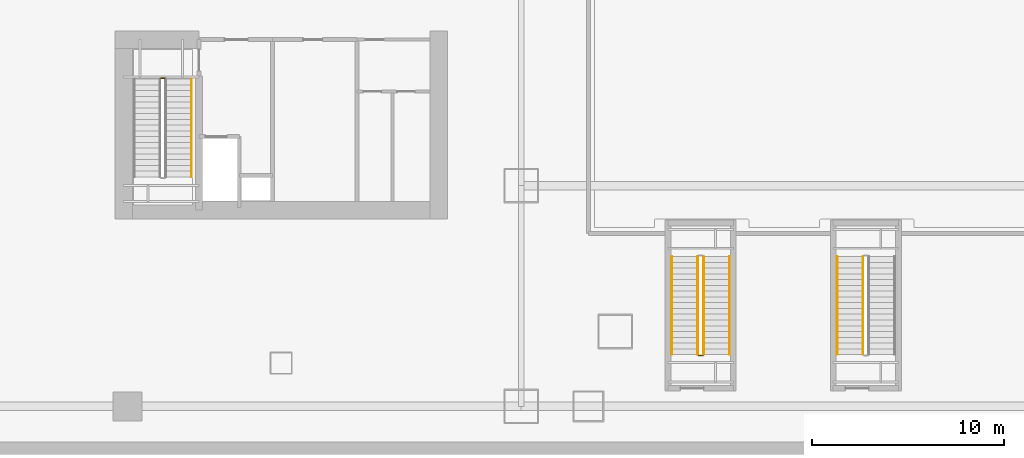
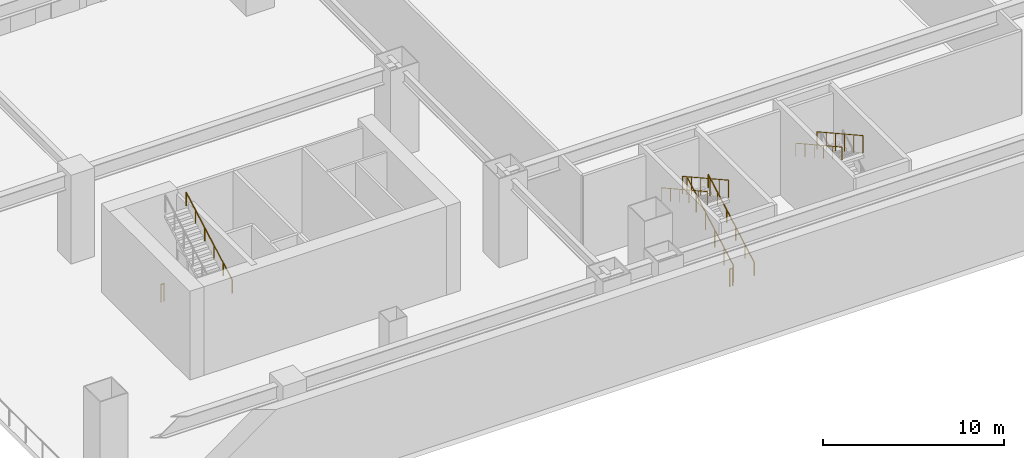
# One storey, part 14 of 20: 9 railings.
"""IFC4 building model written with IfcOpenShell, lengths in metres."""

from ifc_helpers import new_model, si_unit, direction, frame, origin, origin_2d, place, context, subcontext, project, spatial, circle, extrude, material, type_object, element, save


model = new_model("IFC4")

# Units and contexts
model_context = context("Model", 3, precision=1e-05, world=origin(), true_north=direction((0.0, 1.0)))
body_context = subcontext(model_context, "Body", "Model", "MODEL_VIEW")
ifc_project = project(units=[si_unit("LENGTHUNIT", "METRE"), si_unit("AREAUNIT", "SQUARE_METRE"), si_unit("VOLUMEUNIT", "CUBIC_METRE"), si_unit("PLANEANGLEUNIT", "RADIAN"), si_unit("MASSUNIT", "GRAM", prefix="KILO")], contexts=[model_context])

# Site, building, storey
site_placement = place(None, origin())
site = spatial("IfcSite", under=ifc_project, at=site_placement, CompositionType="ELEMENT")
building_placement = place(site_placement, origin())
building = spatial("IfcBuilding", under=site, at=building_placement, Name="Qiaolan Cultural Towers", CompositionType="ELEMENT")
storey_placement = place(building_placement, frame((0.0, 0.0, -6.0)))
storey = spatial("IfcBuildingStorey", under=building, at=storey_placement, Name="B1", CompositionType="ELEMENT", Elevation=-6.0)

# Railings
ifc_material_1 = material(Name="Galvanized Painted Steel Stair Guardrail", Category="steel")
railing_type_1 = type_object("IfcRailingType", Name="RL-STAIR-GRD", PredefinedType="GUARDRAIL", material=ifc_material_1)
railing_1_placement = place(storey_placement, frame((23.739990234375, 19.60009765625, 0.0)))
element("IfcRailing", 1, at=railing_1_placement, inside=storey, type_object=railing_type_1, Name="B1 ST-W1 stair guard 4", PredefinedType="GUARDRAIL", context=body_context, shape_type="SweptSolid", body=[
    extrude(circle(Radius=0.02392578125, at=origin_2d()), frame((0.0, 0.0, 1.17578125), z_axis=(1.0, 0.0, 0.0), x_axis=(0.0, 1.0, 0.0)), (0.0, 0.0, 1.0), 0.199951171875),
    extrude(circle(Radius=0.02099609375, at=origin_2d()), origin(), (0.0, 0.0, 1.0), 1.15185546875),
    extrude(circle(Radius=0.02099609375, at=origin_2d()), frame((0.199951171875, 0.0, 0.0)), (0.0, 0.0, 1.0), 1.15185546875),
])
railing_2_placement = place(storey_placement, frame((52.0, 5.199951171875, 0.166748046875)))
element("IfcRailing", 2, at=railing_2_placement, inside=storey, type_object=railing_type_1, Name="B1 ST-M1 stair guard 1", PredefinedType="GUARDRAIL", context=body_context, shape_type="SweptSolid", body=[
    extrude(circle(Radius=0.02392578125, at=origin_2d()), frame((0.0, 0.0, 1.17578125), z_axis=(0.0, 0.874167145328, 0.485625166182), x_axis=(-1.0, 0.0, 0.0)), (0.0, 0.0, 1.0), 5.834228515625),
    extrude(circle(Radius=0.02099609375, at=origin_2d()), origin(), (0.0, 0.0, 1.0), 1.15185546875),
    extrude(circle(Radius=0.02099609375, at=origin_2d()), frame((0.0, 1.02001953125, 0.566650390625)), (0.0, 0.0, 1.0), 1.15185546875),
    extrude(circle(Radius=0.02099609375, at=origin_2d()), frame((0.0, 2.0400390625, 1.13330078125)), (0.0, 0.0, 1.0), 1.15185546875),
    extrude(circle(Radius=0.02099609375, at=origin_2d()), frame((0.0, 3.06005859375, 1.699951171875)), (0.0, 0.0, 1.0), 1.15185546875),
    extrude(circle(Radius=0.02099609375, at=origin_2d()), frame((0.0, 4.080078125, 2.2666015625)), (0.0, 0.0, 1.0), 1.15185546875),
    extrude(circle(Radius=0.02099609375, at=origin_2d()), frame((0.0, 5.10009765625, 2.833251953125)), (0.0, 0.0, 1.0), 1.15185546875),
])
railing_3_placement = place(storey_placement, frame((51.699951171875, 10.300048828125, 3.166748046875)))
element("IfcRailing", 3, at=railing_3_placement, inside=storey, type_object=railing_type_1, Name="B1 ST-M1 stair guard 3", PredefinedType="GUARDRAIL", context=body_context, shape_type="SweptSolid", body=[
    extrude(circle(Radius=0.02392578125, at=origin_2d()), frame((0.0, 0.0, 1.17578125), z_axis=(0.0, -0.874167145328, 0.485625166182), x_axis=(1.0, 0.0, 0.0)), (0.0, 0.0, 1.0), 5.834228515625),
    extrude(circle(Radius=0.02099609375, at=origin_2d()), origin(), (0.0, 0.0, 1.0), 1.15185546875),
    extrude(circle(Radius=0.02099609375, at=origin_2d()), frame((0.0, -1.02001953125, 0.566650390625)), (0.0, 0.0, 1.0), 1.15185546875),
    extrude(circle(Radius=0.02099609375, at=origin_2d()), frame((0.0, -2.0400390625, 1.13330078125)), (0.0, 0.0, 1.0), 1.15185546875),
    extrude(circle(Radius=0.02099609375, at=origin_2d()), frame((0.0, -3.06005859375, 1.699951171875)), (0.0, 0.0, 1.0), 1.15185546875),
    extrude(circle(Radius=0.02099609375, at=origin_2d()), frame((0.0, -4.080078125, 2.2666015625)), (0.0, 0.0, 1.0), 1.15185546875),
    extrude(circle(Radius=0.02099609375, at=origin_2d()), frame((0.0, -5.10009765625, 2.833251953125)), (0.0, 0.0, 1.0), 1.15185546875),
])
railing_4_placement = place(storey_placement, frame((51.949951171875, 5.14990234375, 0.0)))
element("IfcRailing", 4, at=railing_4_placement, inside=storey, type_object=railing_type_1, Name="B1 ST-M1 stair guard 4", PredefinedType="GUARDRAIL", context=body_context, shape_type="SweptSolid", body=[
    extrude(circle(Radius=0.02392578125, at=origin_2d()), frame((0.0, 0.0, 1.17578125), z_axis=(-1.0, 0.0, 0.0), x_axis=(0.0, -1.0, 0.0)), (0.0, 0.0, 1.0), 0.199951171875),
    extrude(circle(Radius=0.02099609375, at=origin_2d()), origin(), (0.0, 0.0, 1.0), 1.15185546875),
    extrude(circle(Radius=0.02099609375, at=origin_2d()), frame((-0.199951171875, 0.0, 0.0)), (0.0, 0.0, 1.0), 1.15185546875),
])
railing_5_placement = place(storey_placement, frame((60.300048828125, 10.300048828125, 3.166748046875)))
element("IfcRailing", 5, at=railing_5_placement, inside=storey, type_object=railing_type_1, Name="B1 ST-M2 stair guard 3", PredefinedType="GUARDRAIL", context=body_context, shape_type="SweptSolid", body=[
    extrude(circle(Radius=0.02392578125, at=origin_2d()), frame((0.0, 0.0, 1.17578125), z_axis=(0.0, -0.874167145328, 0.485625166182), x_axis=(1.0, 0.0, 0.0)), (0.0, 0.0, 1.0), 5.834228515625),
    extrude(circle(Radius=0.02099609375, at=origin_2d()), origin(), (0.0, 0.0, 1.0), 1.15185546875),
    extrude(circle(Radius=0.02099609375, at=origin_2d()), frame((0.0, -1.02001953125, 0.566650390625)), (0.0, 0.0, 1.0), 1.15185546875),
    extrude(circle(Radius=0.02099609375, at=origin_2d()), frame((0.0, -2.0400390625, 1.13330078125)), (0.0, 0.0, 1.0), 1.15185546875),
    extrude(circle(Radius=0.02099609375, at=origin_2d()), frame((0.0, -3.06005859375, 1.699951171875)), (0.0, 0.0, 1.0), 1.15185546875),
    extrude(circle(Radius=0.02099609375, at=origin_2d()), frame((0.0, -4.080078125, 2.2666015625)), (0.0, 0.0, 1.0), 1.15185546875),
    extrude(circle(Radius=0.02099609375, at=origin_2d()), frame((0.0, -5.10009765625, 2.833251953125)), (0.0, 0.0, 1.0), 1.15185546875),
])
ifc_material_2 = material(Name="Stainless Steel S30408 Tubular Handrail", Category="steel")
railing_type_2 = type_object("IfcRailingType", Name="RL-STAIR-HR", PredefinedType="HANDRAIL", material=ifc_material_2)
for number, where, name in (
    (6, (25.330078125, 14.449951171875, 3.166748046875), "B1 ST-W1 stair handrail 2"),
    (7, (53.35009765625, 5.199951171875, 0.166748046875), "B1 ST-M1 stair handrail 1"),
):
    element("IfcRailing", number, at=place(storey_placement, frame(where)), inside=storey, type_object=railing_type_2, Name=name, PredefinedType="HANDRAIL", context=body_context, shape_type="SweptSolid", body=[
        extrude(circle(Radius=0.02392578125, at=origin_2d()), frame((0.0, 0.0, 0.8759765625), z_axis=(0.0, 0.874167145328, 0.485625166182), x_axis=(-1.0, 0.0, 0.0)), (0.0, 0.0, 1.0), 5.834228515625),
        extrude(circle(Radius=0.02099609375, at=origin_2d()), origin(), (0.0, 0.0, 1.0), 0.851806640625),
        extrude(circle(Radius=0.02099609375, at=origin_2d()), frame((0.0, 1.02001953125, 0.566650390625)), (0.0, 0.0, 1.0), 0.851806640625),
        extrude(circle(Radius=0.02099609375, at=origin_2d()), frame((0.0, 2.0400390625, 1.13330078125)), (0.0, 0.0, 1.0), 0.851806640625),
        extrude(circle(Radius=0.02099609375, at=origin_2d()), frame((0.0, 3.06005859375, 1.699951171875)), (0.0, 0.0, 1.0), 0.851806640625),
        extrude(circle(Radius=0.02099609375, at=origin_2d()), frame((0.0, 4.080078125, 2.2666015625)), (0.0, 0.0, 1.0), 0.851806640625),
        extrude(circle(Radius=0.02099609375, at=origin_2d()), frame((0.0, 5.10009765625, 2.833251953125)), (0.0, 0.0, 1.0), 0.851806640625),
    ])
for number, where, name in (
    (8, (50.35009765625, 10.300048828125, 3.166748046875), "B1 ST-M1 stair handrail 2"),
    (9, (58.949951171875, 10.300048828125, 3.166748046875), "B1 ST-M2 stair handrail 2"),
):
    element("IfcRailing", number, at=place(storey_placement, frame(where)), inside=storey, type_object=railing_type_2, Name=name, PredefinedType="HANDRAIL", context=body_context, shape_type="SweptSolid", body=[
        extrude(circle(Radius=0.02392578125, at=origin_2d()), frame((0.0, 0.0, 0.8759765625), z_axis=(0.0, -0.874167145328, 0.485625166182), x_axis=(1.0, 0.0, 0.0)), (0.0, 0.0, 1.0), 5.834228515625),
        extrude(circle(Radius=0.02099609375, at=origin_2d()), origin(), (0.0, 0.0, 1.0), 0.851806640625),
        extrude(circle(Radius=0.02099609375, at=origin_2d()), frame((0.0, -1.02001953125, 0.566650390625)), (0.0, 0.0, 1.0), 0.851806640625),
        extrude(circle(Radius=0.02099609375, at=origin_2d()), frame((0.0, -2.0400390625, 1.13330078125)), (0.0, 0.0, 1.0), 0.851806640625),
        extrude(circle(Radius=0.02099609375, at=origin_2d()), frame((0.0, -3.06005859375, 1.699951171875)), (0.0, 0.0, 1.0), 0.851806640625),
        extrude(circle(Radius=0.02099609375, at=origin_2d()), frame((0.0, -4.080078125, 2.2666015625)), (0.0, 0.0, 1.0), 0.851806640625),
        extrude(circle(Radius=0.02099609375, at=origin_2d()), frame((0.0, -5.10009765625, 2.833251953125)), (0.0, 0.0, 1.0), 0.851806640625),
    ])

save(model, "model.ifc")
